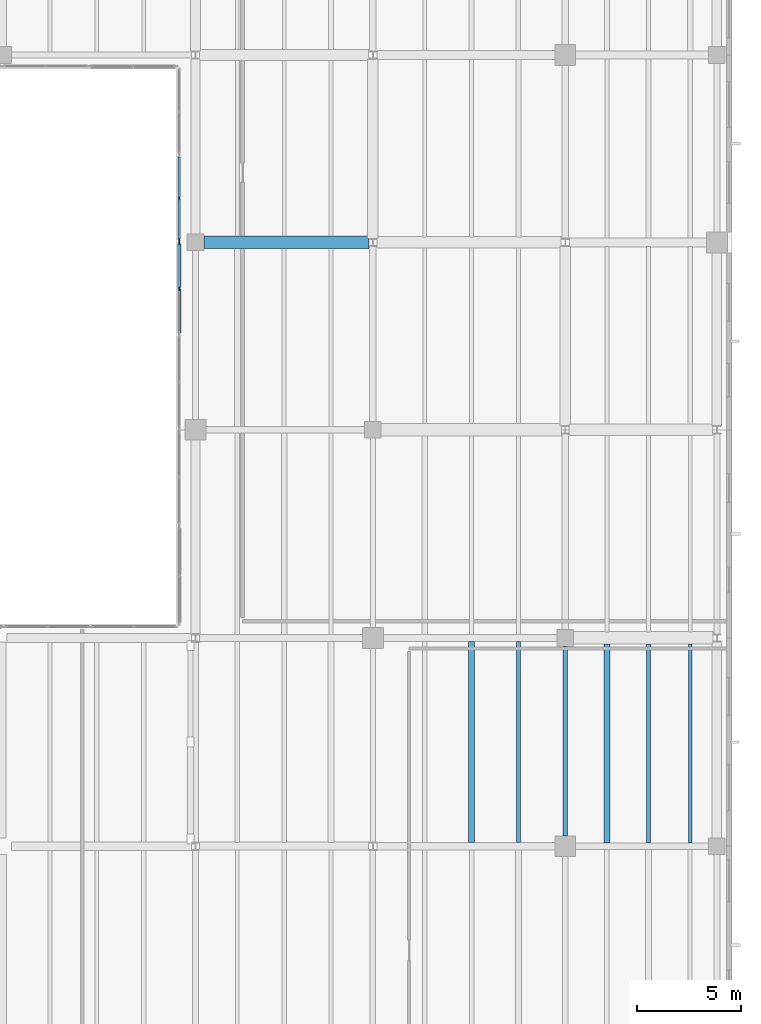
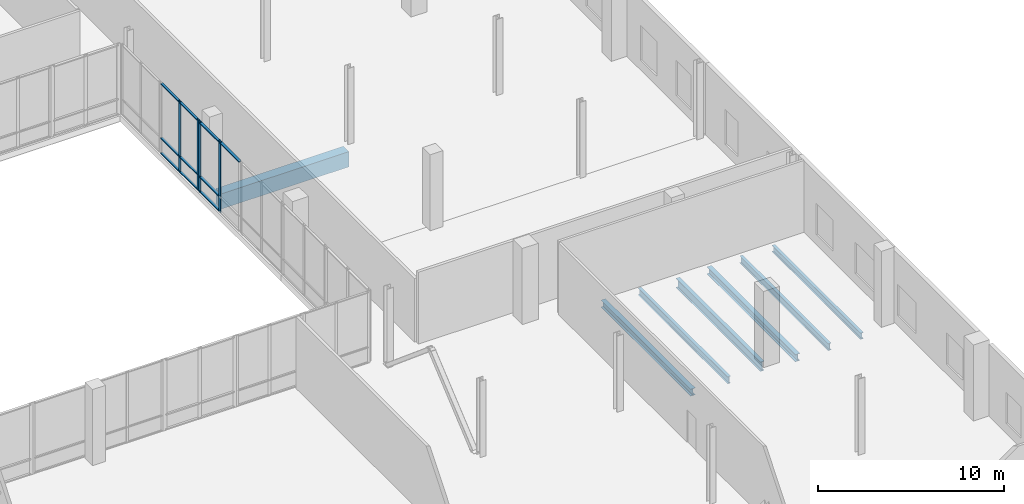
# One storey, part 55 of 88: 14 members, 7 beams, 2 elements without a shape of their own.
"""IFC4 building model written with IfcOpenShell, lengths in metres."""

from ifc_helpers import new_model, si_unit, direction, frame, origin, origin_2d, place, context, subcontext, project, spatial, rectangle, i_section, extrude, material, material_profile, profile_set, type_object, element, aggregate, save


model = new_model("IFC4")

# Units and contexts
model_context = context("Model", 3, precision=1e-05, world=origin(), true_north=direction((0.0, 1.0)))
body_context = subcontext(model_context, "Body", "Model", "MODEL_VIEW")
ifc_project = project(units=[si_unit("LENGTHUNIT", "METRE"), si_unit("AREAUNIT", "SQUARE_METRE"), si_unit("VOLUMEUNIT", "CUBIC_METRE"), si_unit("PLANEANGLEUNIT", "RADIAN"), si_unit("MASSUNIT", "GRAM", prefix="KILO")], contexts=[model_context])

# Site, building, storey
site_placement = place(None, origin())
site = spatial("IfcSite", under=ifc_project, at=site_placement, CompositionType="ELEMENT")
building_placement = place(site_placement, origin())
building = spatial("IfcBuilding", under=site, at=building_placement, Name="Trimount Lyric Opera House", CompositionType="ELEMENT")
storey_placement = place(building_placement, origin())
storey = spatial("IfcBuildingStorey", under=building, at=storey_placement, Name="L00", CompositionType="ELEMENT", Elevation=0.0)

# Beams
ifc_material_1 = material(Name="Steel ASTM A992 Grade 50", Category="steel")
ifc_material_profile_1 = material_profile(ifc_material_1, i_section(OverallWidth=0.22998046875, OverallDepth=0.616943359375, WebThickness=0.01318359375, FlangeThickness=0.022216796875, FilletRadius=0.013916015625, at=origin_2d()), Name="W24X94")
ifc_profile_set_1 = profile_set([ifc_material_profile_1], Name="Steel ASTM A992 Grade 50")
beam_type_1 = type_object("IfcBeamType", Name="B-11", PredefinedType="BEAM", material=ifc_profile_set_1)
beam_1_placement = place(storey_placement, frame((166.0, 64.5, -0.6884765625), z_axis=(0.0, 1.0, 0.0), x_axis=(-1.0, 0.0, 0.0)))
element("IfcBeam", 1, at=beam_1_placement, inside=storey, type_object=beam_type_1, Name="L00 girder Y-0446", PredefinedType="BEAM", context=body_context, shape_type="SweptSolid", body=[
    extrude(i_section(OverallWidth=0.22998046875, OverallDepth=0.616943359375, WebThickness=0.01318359375, FlangeThickness=0.022216796875, FilletRadius=0.013916015625, at=origin_2d()), origin(), (0.0, 0.0, 1.0), 9.10009765625),
])
ifc_material_2 = material(Name="Concrete C40/50", Category="concrete")
ifc_material_profile_2 = material_profile(ifc_material_2, rectangle(XDim=0.60009765625, YDim=1.0, at=origin_2d()), Name="RC600X1000")
ifc_profile_set_2 = profile_set([ifc_material_profile_2], Name="Concrete C40/50")
beam_type_2 = type_object("IfcBeamType", Name="B-13", PredefinedType="BEAM", material=ifc_profile_set_2)
beam_2_placement = place(storey_placement, frame((148.639892578125, 93.0, -0.8798828125), z_axis=(1.0, 0.0, 0.0), x_axis=(0.0, 1.0, 0.0)))
element("IfcBeam", 2, at=beam_2_placement, inside=storey, type_object=beam_type_2, Name="L00 girder X-0183", PredefinedType="BEAM", context=body_context, shape_type="SweptSolid", body=[
    extrude(rectangle(XDim=0.60009765625, YDim=1.0, at=origin_2d()), origin(), (0.0, 0.0, 1.0), 7.93359375),
])
ifc_material_3 = material(Name="Steel ASTM A992 Grade 50", Category="steel")
ifc_material_profile_3 = material_profile(ifc_material_3, i_section(OverallWidth=0.281982421875, OverallDepth=0.467041015625, WebThickness=0.01220703125, FlangeThickness=0.01953125, FilletRadius=0.012939453125, at=origin_2d()), Name="W18X86")
ifc_profile_set_3 = profile_set([ifc_material_profile_3], Name="Steel ASTM A992 Grade 50")
beam_type_3 = type_object("IfcBeamType", Name="J-03", PredefinedType="BEAM", material=ifc_profile_set_3)
beam_3_placement = place(storey_placement, frame((161.5, 64.174072265625, -0.613525390625), z_axis=(0.0, 1.0, 0.0), x_axis=(-1.0, 0.0, 0.0)))
element("IfcBeam", 3, at=beam_3_placement, inside=storey, type_object=beam_type_3, Name="L00 composite floor joist 0516", PredefinedType="BEAM", context=body_context, shape_type="SweptSolid", body=[
    extrude(i_section(OverallWidth=0.281982421875, OverallDepth=0.467041015625, WebThickness=0.01220703125, FlangeThickness=0.01953125, FilletRadius=0.012939453125, at=origin_2d()), origin(), (0.0, 0.0, 1.0), 9.666015625),
])
beam_4_placement = place(storey_placement, frame((168.0, 64.159912109375, -0.613525390625), z_axis=(0.0, 1.0, 0.0), x_axis=(-1.0, 0.0, 0.0)))
element("IfcBeam", 4, at=beam_4_placement, inside=storey, type_object=beam_type_3, Name="L00 composite floor joist 0554", PredefinedType="BEAM", context=body_context, shape_type="SweptSolid", body=[
    extrude(i_section(OverallWidth=0.281982421875, OverallDepth=0.467041015625, WebThickness=0.01220703125, FlangeThickness=0.01953125, FilletRadius=0.012939453125, at=origin_2d()), origin(), (0.0, 0.0, 1.0), 9.544189453125),
])
ifc_material_4 = material(Name="Steel ASTM A992 Grade 50", Category="steel")
ifc_material_profile_4 = material_profile(ifc_material_4, i_section(OverallWidth=0.19091796875, OverallDepth=0.45703125, WebThickness=0.009033203125, FlangeThickness=0.014404296875, FilletRadius=0.010986328125, at=origin_2d()), Name="W18X50")
ifc_profile_set_4 = profile_set([ifc_material_profile_4], Name="Steel ASTM A992 Grade 50")
beam_type_4 = type_object("IfcBeamType", Name="J-04", PredefinedType="BEAM", material=ifc_profile_set_4)
beam_5_placement = place(storey_placement, frame((163.75, 64.174072265625, -0.6083984375), z_axis=(0.0, 1.0, 0.0), x_axis=(-1.0, 0.0, 0.0)))
element("IfcBeam", 5, at=beam_5_placement, inside=storey, type_object=beam_type_4, Name="L00 composite floor joist 0517", PredefinedType="BEAM", context=body_context, shape_type="SweptSolid", body=[
    extrude(i_section(OverallWidth=0.19091796875, OverallDepth=0.45703125, WebThickness=0.009033203125, FlangeThickness=0.014404296875, FilletRadius=0.010986328125, at=origin_2d()), origin(), (0.0, 0.0, 1.0), 9.666015625),
])
beam_6_placement = place(storey_placement, frame((170.0, 64.159912109375, -0.6083984375), z_axis=(0.0, 1.0, 0.0), x_axis=(-1.0, 0.0, 0.0)))
element("IfcBeam", 6, at=beam_6_placement, inside=storey, type_object=beam_type_4, Name="L00 composite floor joist 0555", PredefinedType="BEAM", context=body_context, shape_type="SweptSolid", body=[
    extrude(i_section(OverallWidth=0.19091796875, OverallDepth=0.45703125, WebThickness=0.009033203125, FlangeThickness=0.014404296875, FilletRadius=0.010986328125, at=origin_2d()), origin(), (0.0, 0.0, 1.0), 9.544189453125),
])
ifc_material_5 = material(Name="Steel ASTM A992 Grade 50", Category="steel")
ifc_material_profile_5 = material_profile(ifc_material_5, i_section(OverallWidth=0.180908203125, OverallDepth=0.4169921875, WebThickness=0.010986328125, FlangeThickness=0.018310546875, FilletRadius=0.010986328125, at=origin_2d()), Name="W16X57")
ifc_profile_set_5 = profile_set([ifc_material_profile_5], Name="Steel ASTM A992 Grade 50")
beam_type_5 = type_object("IfcBeamType", Name="J-05", PredefinedType="BEAM", material=ifc_profile_set_5)
beam_7_placement = place(storey_placement, frame((172.0, 64.159912109375, -0.58837890625), z_axis=(0.0, 1.0, 0.0), x_axis=(-1.0, 0.0, 0.0)))
element("IfcBeam", 7, at=beam_7_placement, inside=storey, type_object=beam_type_5, Name="L00 composite floor joist 0556", PredefinedType="BEAM", context=body_context, shape_type="SweptSolid", body=[
    extrude(i_section(OverallWidth=0.180908203125, OverallDepth=0.4169921875, WebThickness=0.010986328125, FlangeThickness=0.018310546875, FilletRadius=0.010986328125, at=origin_2d()), origin(), (0.0, 0.0, 1.0), 9.544189453125),
])

# Curtain wall, members
ifc_material_6 = material(Name="Thermally Broken Aluminium and Low-E Glass", Category="aluminium")
curtain_wall_type = type_object("IfcCurtainWallType", Name="CW-03", PredefinedType="NOTDEFINED", material=ifc_material_6)
curtain_wall_1_placement = place(storey_placement, origin())
curtain_wall_1 = element("IfcCurtainWall", 8, at=curtain_wall_1_placement, inside=storey, type_object=curtain_wall_type, Name="L00 curtain wall 045", PredefinedType="NOTDEFINED")
ifc_material_7 = material(Name="Anodised Aluminium 6063-T6", Category="aluminium")
ifc_material_profile_6 = material_profile(ifc_material_7, rectangle(XDim=0.070068359375, YDim=0.219970703125, at=origin_2d()), Name="ALU-MULL-70X220")
ifc_profile_set_6 = profile_set([ifc_material_profile_6], Name="Anodised Aluminium 6063-T6")
member_type_1 = type_object("IfcMemberType", Name="ML-01", PredefinedType="MULLION", material=ifc_profile_set_6)
member_1_placement = place(storey_placement, frame((147.4599609375, 90.794921875, 0.0), z_axis=(0.0, 0.0, 1.0), x_axis=(-1.0, 0.0, 0.0)))
member_1 = element("IfcMember", 9, at=member_1_placement, type_object=member_type_1, Name="CW-03 mullion 2", PredefinedType="MULLION", context=body_context, shape_type="SweptSolid", body=[
    extrude(rectangle(XDim=0.070068359375, YDim=0.219970703125, at=origin_2d()), origin(), (0.0, 0.0, 1.0), 4.68994140625),
])
member_2_placement = place(storey_placement, frame((147.4599609375, 92.965087890625, 0.0), z_axis=(0.0, 0.0, 1.0), x_axis=(-1.0, 0.0, 0.0)))
member_2 = element("IfcMember", 10, at=member_2_placement, type_object=member_type_1, Name="CW-03 mullion 3", PredefinedType="MULLION", context=body_context, shape_type="SweptSolid", body=[
    extrude(rectangle(XDim=0.070068359375, YDim=0.219970703125, at=origin_2d()), origin(), (0.0, 0.0, 1.0), 4.68994140625),
])

curtain_wall_2_placement = place(storey_placement, origin())
curtain_wall_2 = element("IfcCurtainWall", 11, at=curtain_wall_2_placement, inside=storey, type_object=curtain_wall_type, Name="L00 curtain wall 046", PredefinedType="NOTDEFINED")
ifc_material_8 = material(Name="Anodised Aluminium 6063-T6", Category="aluminium")
ifc_material_profile_7 = material_profile(ifc_material_8, rectangle(XDim=0.06494140625, YDim=0.179931640625, at=origin_2d()), Name="ALU-MULL-65X180")
ifc_profile_set_7 = profile_set([ifc_material_profile_7], Name="Anodised Aluminium 6063-T6")
member_type_2 = type_object("IfcMemberType", Name="ML-02", PredefinedType="MULLION", material=ifc_profile_set_7)
member_3_placement = place(storey_placement, frame((147.4599609375, 93.12255859375, 0.0), z_axis=(0.0, 0.0, 1.0), x_axis=(-1.0, 0.0, 0.0)))
member_3 = element("IfcMember", 12, at=member_3_placement, type_object=member_type_2, Name="CW-03 mullion 1", PredefinedType="MULLION", context=body_context, shape_type="SweptSolid", body=[
    extrude(rectangle(XDim=0.06494140625, YDim=0.179931640625, at=origin_2d()), origin(), (0.0, 0.0, 1.0), 4.68994140625),
])
member_4_placement = place(storey_placement, frame((147.4599609375, 95.125, 0.0), z_axis=(0.0, 0.0, 1.0), x_axis=(-1.0, 0.0, 0.0)))
member_4 = element("IfcMember", 13, at=member_4_placement, type_object=member_type_2, Name="CW-03 mullion 2", PredefinedType="MULLION", context=body_context, shape_type="SweptSolid", body=[
    extrude(rectangle(XDim=0.06494140625, YDim=0.179931640625, at=origin_2d()), origin(), (0.0, 0.0, 1.0), 4.68994140625),
])

# Member
ifc_material_9 = material(Name="Anodised Aluminium 6063-T6", Category="aluminium")
ifc_material_profile_8 = material_profile(ifc_material_9, rectangle(XDim=0.159912109375, YDim=0.070068359375, at=origin_2d()), Name="ALU-TRAN-70X160")
ifc_profile_set_8 = profile_set([ifc_material_profile_8], Name="Anodised Aluminium 6063-T6")
member_type_3 = type_object("IfcMemberType", Name="TR-01", PredefinedType="USERDEFINED", material=ifc_profile_set_8)
member_5_placement = place(storey_placement, frame((147.4599609375, 88.659912109375, 4.610107421875), z_axis=(0.0, 1.0, 0.0), x_axis=(-1.0, 0.0, 0.0)))
member_5 = element("IfcMember", 14, at=member_5_placement, type_object=member_type_3, Name="CW-03 transom 1.3", ObjectType="TRANSOM", PredefinedType="USERDEFINED", context=body_context, shape_type="SweptSolid", body=[
    extrude(rectangle(XDim=0.159912109375, YDim=0.070068359375, at=origin_2d()), origin(), (0.0, 0.0, 1.0), 2.10009765625),
])

member_6_placement = place(storey_placement, frame((147.4599609375, 90.830078125, 0.080078125), z_axis=(0.0, 1.0, 0.0), x_axis=(-1.0, 0.0, 0.0)))
member_6 = element("IfcMember", 15, at=member_6_placement, type_object=member_type_3, Name="CW-03 transom 2.1", ObjectType="TRANSOM", PredefinedType="USERDEFINED", context=body_context, shape_type="SweptSolid", body=[
    extrude(rectangle(XDim=0.159912109375, YDim=0.070068359375, at=origin_2d()), origin(), (0.0, 0.0, 1.0), 2.099853515625),
])

member_7_placement = place(storey_placement, frame((147.4599609375, 90.830078125, 1.050048828125), z_axis=(0.0, 1.0, 0.0), x_axis=(-1.0, 0.0, 0.0)))
member_7 = element("IfcMember", 16, at=member_7_placement, type_object=member_type_3, Name="CW-03 transom 2.2", ObjectType="TRANSOM", PredefinedType="USERDEFINED", context=body_context, shape_type="SweptSolid", body=[
    extrude(rectangle(XDim=0.159912109375, YDim=0.070068359375, at=origin_2d()), origin(), (0.0, 0.0, 1.0), 2.099853515625),
])

member_8_placement = place(storey_placement, frame((147.4599609375, 90.830078125, 4.610107421875), z_axis=(0.0, 1.0, 0.0), x_axis=(-1.0, 0.0, 0.0)))
member_8 = element("IfcMember", 17, at=member_8_placement, type_object=member_type_3, Name="CW-03 transom 2.3", ObjectType="TRANSOM", PredefinedType="USERDEFINED", context=body_context, shape_type="SweptSolid", body=[
    extrude(rectangle(XDim=0.159912109375, YDim=0.070068359375, at=origin_2d()), origin(), (0.0, 0.0, 1.0), 2.099853515625),
])

aggregate(curtain_wall_1, [member_1, member_2, member_5, member_6, member_7, member_8])

ifc_material_10 = material(Name="Anodised Aluminium 6063-T6", Category="aluminium")
ifc_material_profile_9 = material_profile(ifc_material_10, rectangle(XDim=0.135009765625, YDim=0.06494140625, at=origin_2d()), Name="ALU-TRAN-65X135")
ifc_profile_set_9 = profile_set([ifc_material_profile_9], Name="Anodised Aluminium 6063-T6")
member_type_4 = type_object("IfcMemberType", Name="TR-02", PredefinedType="USERDEFINED", material=ifc_profile_set_9)
member_9_placement = place(storey_placement, frame((147.4599609375, 93.155029296875, 0.0673828125), z_axis=(0.0, 1.0, 0.0), x_axis=(-1.0, 0.0, 0.0)))
member_9 = element("IfcMember", 18, at=member_9_placement, type_object=member_type_4, Name="CW-03 transom 1.1", ObjectType="TRANSOM", PredefinedType="USERDEFINED", context=body_context, shape_type="SweptSolid", body=[
    extrude(rectangle(XDim=0.135009765625, YDim=0.06494140625, at=origin_2d()), origin(), (0.0, 0.0, 1.0), 1.9375),
])

member_10_placement = place(storey_placement, frame((147.4599609375, 93.155029296875, 1.050048828125), z_axis=(0.0, 1.0, 0.0), x_axis=(-1.0, 0.0, 0.0)))
member_10 = element("IfcMember", 19, at=member_10_placement, type_object=member_type_4, Name="CW-03 transom 1.2", ObjectType="TRANSOM", PredefinedType="USERDEFINED", context=body_context, shape_type="SweptSolid", body=[
    extrude(rectangle(XDim=0.135009765625, YDim=0.06494140625, at=origin_2d()), origin(), (0.0, 0.0, 1.0), 1.9375),
])

member_11_placement = place(storey_placement, frame((147.4599609375, 93.155029296875, 4.62255859375), z_axis=(0.0, 1.0, 0.0), x_axis=(-1.0, 0.0, 0.0)))
member_11 = element("IfcMember", 20, at=member_11_placement, type_object=member_type_4, Name="CW-03 transom 1.3", ObjectType="TRANSOM", PredefinedType="USERDEFINED", context=body_context, shape_type="SweptSolid", body=[
    extrude(rectangle(XDim=0.135009765625, YDim=0.06494140625, at=origin_2d()), origin(), (0.0, 0.0, 1.0), 1.9375),
])

member_12_placement = place(storey_placement, frame((147.4599609375, 95.157470703125, 0.0673828125), z_axis=(0.0, 1.0, 0.0), x_axis=(-1.0, 0.0, 0.0)))
member_12 = element("IfcMember", 21, at=member_12_placement, type_object=member_type_4, Name="CW-03 transom 2.1", ObjectType="TRANSOM", PredefinedType="USERDEFINED", context=body_context, shape_type="SweptSolid", body=[
    extrude(rectangle(XDim=0.135009765625, YDim=0.06494140625, at=origin_2d()), origin(), (0.0, 0.0, 1.0), 1.9375),
])

member_13_placement = place(storey_placement, frame((147.4599609375, 95.157470703125, 1.050048828125), z_axis=(0.0, 1.0, 0.0), x_axis=(-1.0, 0.0, 0.0)))
member_13 = element("IfcMember", 22, at=member_13_placement, type_object=member_type_4, Name="CW-03 transom 2.2", ObjectType="TRANSOM", PredefinedType="USERDEFINED", context=body_context, shape_type="SweptSolid", body=[
    extrude(rectangle(XDim=0.135009765625, YDim=0.06494140625, at=origin_2d()), origin(), (0.0, 0.0, 1.0), 1.9375),
])

member_14_placement = place(storey_placement, frame((147.4599609375, 95.157470703125, 4.62255859375), z_axis=(0.0, 1.0, 0.0), x_axis=(-1.0, 0.0, 0.0)))
member_14 = element("IfcMember", 23, at=member_14_placement, type_object=member_type_4, Name="CW-03 transom 2.3", ObjectType="TRANSOM", PredefinedType="USERDEFINED", context=body_context, shape_type="SweptSolid", body=[
    extrude(rectangle(XDim=0.135009765625, YDim=0.06494140625, at=origin_2d()), origin(), (0.0, 0.0, 1.0), 1.9375),
])

aggregate(curtain_wall_2, [member_3, member_4, member_9, member_10, member_11, member_12, member_13, member_14])

save(model, "model.ifc")
